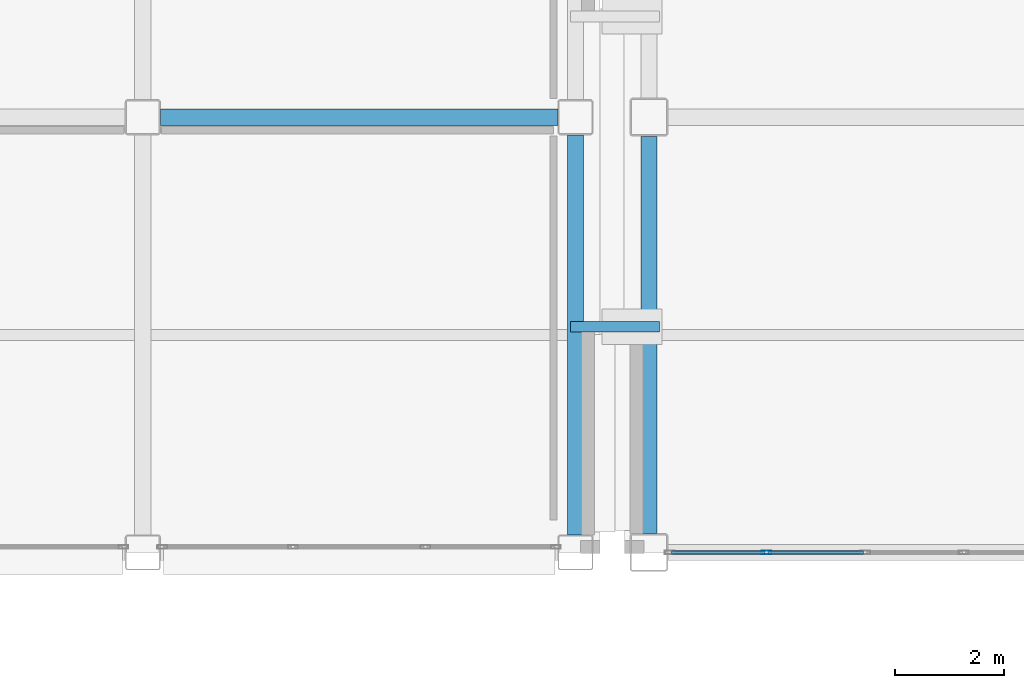
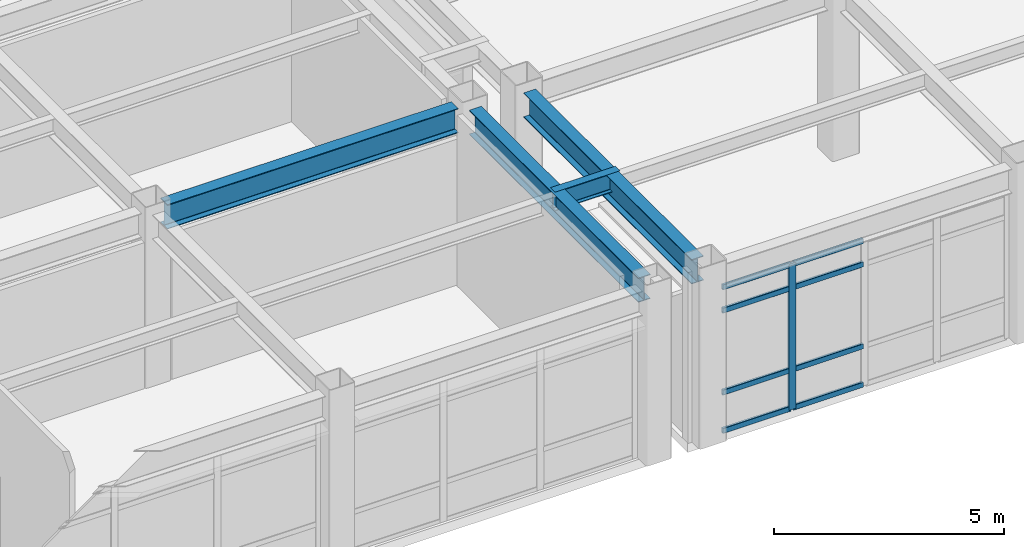
# One storey, part 46 of 172: 9 members, 4 beams, 1 element without a shape of its own.
"""IFC4 building model written with IfcOpenShell, lengths in metres."""

from ifc_helpers import new_model, si_unit, direction, frame, origin, origin_2d, place, context, subcontext, project, spatial, hollow_rectangle, i_section, extrude, material, layer, layer_set, material_profile, profile_set, type_object, element, aggregate, save


model = new_model("IFC4")

# Units and contexts
model_context = context("Model", 3, precision=1e-05, world=origin(), true_north=direction((0.0, 1.0)))
body_context = subcontext(model_context, "Body", "Model", "MODEL_VIEW")
ifc_project = project(units=[si_unit("LENGTHUNIT", "METRE"), si_unit("AREAUNIT", "SQUARE_METRE"), si_unit("VOLUMEUNIT", "CUBIC_METRE"), si_unit("PLANEANGLEUNIT", "RADIAN"), si_unit("MASSUNIT", "GRAM", prefix="KILO")], contexts=[model_context])

# Site, building, storey
site_placement = place(None, origin())
site = spatial("IfcSite", under=ifc_project, at=site_placement, CompositionType="ELEMENT")
building_placement = place(site_placement, origin())
building = spatial("IfcBuilding", under=site, at=building_placement, Name="Kazehara Bluff Congress Hotel", CompositionType="ELEMENT")
storey_placement = place(building_placement, frame((0.0, 0.0, 5.39990234375)))
storey = spatial("IfcBuildingStorey", under=building, at=storey_placement, Name="L01", CompositionType="ELEMENT", Elevation=5.39990234375)

# Curtain wall, members
ifc_material_1 = material(Name="Anodised aluminium", Category="aluminium")
ifc_layer = layer(ifc_material_1, 0.159912109375)
ifc_layer_set = layer_set([ifc_layer], Name="Anodised aluminium")
curtain_wall_type = type_object("IfcCurtainWallType", Name="TP-CW-78", PredefinedType="NOTDEFINED", material=ifc_layer_set)
curtain_wall_placement = place(storey_placement, origin())
curtain_wall = element("IfcCurtainWall", 1, at=curtain_wall_placement, inside=storey, type_object=curtain_wall_type, Name="L01 curtain wall CW-78 CW-V5-L01-Y1600-11090", PredefinedType="NOTDEFINED")
ifc_material_2 = material(Name="Anodised aluminium", Category="aluminium")
ifc_material_profile_1 = material_profile(ifc_material_2, hollow_rectangle(XDim=0.06494140625, YDim=0.179931640625, WallThickness=0.00390625, InnerFilletRadius=0.00390625, OuterFilletRadius=0.008056640625, at=origin_2d()))
ifc_profile_set_1 = profile_set([ifc_material_profile_1], Name="Anodised aluminium")
member_type_1 = type_object("IfcMemberType", Name="TP-CWM-02", PredefinedType="MULLION", material=ifc_profile_set_1)
member_1_placement = place(storey_placement, frame((112.71240234375, 16.0, 0.0), z_axis=(0.0, 0.0, 1.0), x_axis=(0.0, 1.0, 0.0)))
member_1 = element("IfcMember", 2, at=member_1_placement, type_object=member_type_1, Name="CW-78 mullion 2", PredefinedType="MULLION", context=body_context, shape_type="SweptSolid", body=[
    extrude(hollow_rectangle(XDim=0.06494140625, YDim=0.179931640625, WallThickness=0.00390625, InnerFilletRadius=0.00390625, OuterFilletRadius=0.008056640625, at=origin_2d()), origin(), (0.0, 0.0, 1.0), 3.875),
])
ifc_material_3 = material(Name="Anodised aluminium", Category="aluminium")
ifc_material_profile_2 = material_profile(ifc_material_3, hollow_rectangle(XDim=0.06494140625, YDim=0.139892578125, WallThickness=0.00390625, InnerFilletRadius=0.00390625, OuterFilletRadius=0.008056640625, at=origin_2d()))
ifc_profile_set_2 = profile_set([ifc_material_profile_2], Name="Anodised aluminium")
member_type_2 = type_object("IfcMemberType", Name="TP-CWT-02", PredefinedType="USERDEFINED", material=ifc_profile_set_2)
member_2_placement = place(storey_placement, frame((110.965087890625, 16.0, 0.03271484375), z_axis=(1.0, 0.0, 0.0), x_axis=(0.0, 1.0, 0.0)))
member_2 = element("IfcMember", 3, at=member_2_placement, type_object=member_type_2, Name="CW-78 transom 1.1", ObjectType="TRANSOM", PredefinedType="USERDEFINED", context=body_context, shape_type="SweptSolid", body=[
    extrude(hollow_rectangle(XDim=0.06494140625, YDim=0.139892578125, WallThickness=0.00390625, InnerFilletRadius=0.00390625, OuterFilletRadius=0.008056640625, at=origin_2d()), origin(), (0.0, 0.0, 1.0), 1.71484375),
])
member_3_placement = place(storey_placement, frame((110.965087890625, 16.0, 1.050048828125), z_axis=(1.0, 0.0, 0.0), x_axis=(0.0, 1.0, 0.0)))
member_3 = element("IfcMember", 4, at=member_3_placement, type_object=member_type_2, Name="CW-78 transom 1.2", ObjectType="TRANSOM", PredefinedType="USERDEFINED", context=body_context, shape_type="SweptSolid", body=[
    extrude(hollow_rectangle(XDim=0.06494140625, YDim=0.139892578125, WallThickness=0.00390625, InnerFilletRadius=0.00390625, OuterFilletRadius=0.008056640625, at=origin_2d()), origin(), (0.0, 0.0, 1.0), 1.71484375),
])
member_4_placement = place(storey_placement, frame((110.965087890625, 16.0, 3.22509765625), z_axis=(1.0, 0.0, 0.0), x_axis=(0.0, 1.0, 0.0)))
member_4 = element("IfcMember", 5, at=member_4_placement, type_object=member_type_2, Name="CW-78 transom 1.3", ObjectType="TRANSOM", PredefinedType="USERDEFINED", context=body_context, shape_type="SweptSolid", body=[
    extrude(hollow_rectangle(XDim=0.06494140625, YDim=0.139892578125, WallThickness=0.00390625, InnerFilletRadius=0.00390625, OuterFilletRadius=0.008056640625, at=origin_2d()), origin(), (0.0, 0.0, 1.0), 1.71484375),
])
member_5_placement = place(storey_placement, frame((110.965087890625, 16.0, 3.842529296875), z_axis=(1.0, 0.0, 0.0), x_axis=(0.0, 1.0, 0.0)))
member_5 = element("IfcMember", 6, at=member_5_placement, type_object=member_type_2, Name="CW-78 transom 1.4", ObjectType="TRANSOM", PredefinedType="USERDEFINED", context=body_context, shape_type="SweptSolid", body=[
    extrude(hollow_rectangle(XDim=0.06494140625, YDim=0.139892578125, WallThickness=0.00390625, InnerFilletRadius=0.00390625, OuterFilletRadius=0.008056640625, at=origin_2d()), origin(), (0.0, 0.0, 1.0), 1.71484375),
])
member_6_placement = place(storey_placement, frame((112.7451171875, 16.0, 0.03271484375), z_axis=(1.0, 0.0, 0.0), x_axis=(0.0, 1.0, 0.0)))
member_6 = element("IfcMember", 7, at=member_6_placement, type_object=member_type_2, Name="CW-78 transom 2.1", ObjectType="TRANSOM", PredefinedType="USERDEFINED", context=body_context, shape_type="SweptSolid", body=[
    extrude(hollow_rectangle(XDim=0.06494140625, YDim=0.139892578125, WallThickness=0.00390625, InnerFilletRadius=0.00390625, OuterFilletRadius=0.008056640625, at=origin_2d()), origin(), (0.0, 0.0, 1.0), 1.747314453125),
])
member_7_placement = place(storey_placement, frame((112.7451171875, 16.0, 1.050048828125), z_axis=(1.0, 0.0, 0.0), x_axis=(0.0, 1.0, 0.0)))
member_7 = element("IfcMember", 8, at=member_7_placement, type_object=member_type_2, Name="CW-78 transom 2.2", ObjectType="TRANSOM", PredefinedType="USERDEFINED", context=body_context, shape_type="SweptSolid", body=[
    extrude(hollow_rectangle(XDim=0.06494140625, YDim=0.139892578125, WallThickness=0.00390625, InnerFilletRadius=0.00390625, OuterFilletRadius=0.008056640625, at=origin_2d()), origin(), (0.0, 0.0, 1.0), 1.747314453125),
])
member_8_placement = place(storey_placement, frame((112.7451171875, 16.0, 3.22509765625), z_axis=(1.0, 0.0, 0.0), x_axis=(0.0, 1.0, 0.0)))
member_8 = element("IfcMember", 9, at=member_8_placement, type_object=member_type_2, Name="CW-78 transom 2.3", ObjectType="TRANSOM", PredefinedType="USERDEFINED", context=body_context, shape_type="SweptSolid", body=[
    extrude(hollow_rectangle(XDim=0.06494140625, YDim=0.139892578125, WallThickness=0.00390625, InnerFilletRadius=0.00390625, OuterFilletRadius=0.008056640625, at=origin_2d()), origin(), (0.0, 0.0, 1.0), 1.747314453125),
])
member_9_placement = place(storey_placement, frame((112.7451171875, 16.0, 3.842529296875), z_axis=(1.0, 0.0, 0.0), x_axis=(0.0, 1.0, 0.0)))
member_9 = element("IfcMember", 10, at=member_9_placement, type_object=member_type_2, Name="CW-78 transom 2.4", ObjectType="TRANSOM", PredefinedType="USERDEFINED", context=body_context, shape_type="SweptSolid", body=[
    extrude(hollow_rectangle(XDim=0.06494140625, YDim=0.139892578125, WallThickness=0.00390625, InnerFilletRadius=0.00390625, OuterFilletRadius=0.008056640625, at=origin_2d()), origin(), (0.0, 0.0, 1.0), 1.747314453125),
])
aggregate(curtain_wall, [member_1, member_2, member_3, member_4, member_5, member_6, member_7, member_8, member_9])

# Beams
ifc_material_4 = material(Name="Steel SN490B", Category="steel")
ifc_material_profile_3 = material_profile(ifc_material_4, i_section(OverallWidth=0.199951171875, OverallDepth=0.5, WebThickness=0.010009765625, FlangeThickness=0.01611328125, FilletRadius=0.012939453125, at=origin_2d()))
ifc_profile_set_3 = profile_set([ifc_material_profile_3], Name="Steel SN490B")
beam_type_1 = type_object("IfcBeamType", Name="TP-G-01", PredefinedType="BEAM", material=ifc_profile_set_3)
beam_1_placement = place(storey_placement, frame((109.110107421875, 20.14990234375, 4.300048828125), z_axis=(1.0, 0.0, 0.0), x_axis=(0.0, 1.0, 0.0)))
element("IfcBeam", 11, at=beam_1_placement, inside=storey, type_object=beam_type_1, Name="Bridge link beam BRG-45 L02-1", PredefinedType="BEAM", context=body_context, shape_type="SweptSolid", body=[
    extrude(i_section(OverallWidth=0.199951171875, OverallDepth=0.5, WebThickness=0.010009765625, FlangeThickness=0.01611328125, FilletRadius=0.012939453125, at=origin_2d()), origin(), (0.0, 0.0, 1.0), 1.6298828125),
])
ifc_material_5 = material(Name="Steel SN490B", Category="steel")
ifc_material_profile_4 = material_profile(ifc_material_5, i_section(OverallWidth=0.300048828125, OverallDepth=0.64990234375, WebThickness=0.011962890625, FlangeThickness=0.02001953125, FilletRadius=0.012939453125, at=origin_2d()))
ifc_profile_set_4 = profile_set([ifc_material_profile_4], Name="Steel SN490B")
beam_type_2 = type_object("IfcBeamType", Name="TP-G-03", PredefinedType="BEAM", material=ifc_profile_set_4)
beam_2_placement = place(storey_placement, frame((109.199951171875, 16.324951171875, 4.22509765625), z_axis=(0.0, 1.0, 0.0), x_axis=(-1.0, 0.0, 0.0)))
element("IfcBeam", 12, at=beam_2_placement, inside=storey, type_object=beam_type_2, Name="L01 girder G-03 180", PredefinedType="BEAM", context=body_context, shape_type="SweptSolid", body=[
    extrude(i_section(OverallWidth=0.300048828125, OverallDepth=0.64990234375, WebThickness=0.011962890625, FlangeThickness=0.02001953125, FilletRadius=0.012939453125, at=origin_2d()), origin(), (0.0, 0.0, 1.0), 7.35009765625),
])
beam_3_placement = place(storey_placement, frame((101.574951171875, 24.0, 4.22509765625), z_axis=(1.0, 0.0, 0.0), x_axis=(0.0, 1.0, 0.0)))
element("IfcBeam", 13, at=beam_3_placement, inside=storey, type_object=beam_type_2, Name="L01 girder G-03 198", PredefinedType="BEAM", context=body_context, shape_type="SweptSolid", body=[
    extrude(i_section(OverallWidth=0.300048828125, OverallDepth=0.64990234375, WebThickness=0.011962890625, FlangeThickness=0.02001953125, FilletRadius=0.012939453125, at=origin_2d()), origin(), (0.0, 0.0, 1.0), 7.300048828125),
])
beam_4_placement = place(storey_placement, frame((110.550048828125, 16.35009765625, 4.22509765625), z_axis=(0.0, 1.0, 0.0), x_axis=(-1.0, 0.0, 0.0)))
element("IfcBeam", 14, at=beam_4_placement, inside=storey, type_object=beam_type_2, Name="L01 girder G-03 221", PredefinedType="BEAM", context=body_context, shape_type="SweptSolid", body=[
    extrude(i_section(OverallWidth=0.300048828125, OverallDepth=0.64990234375, WebThickness=0.011962890625, FlangeThickness=0.02001953125, FilletRadius=0.012939453125, at=origin_2d()), origin(), (0.0, 0.0, 1.0), 7.2998046875),
])

save(model, "model.ifc")
